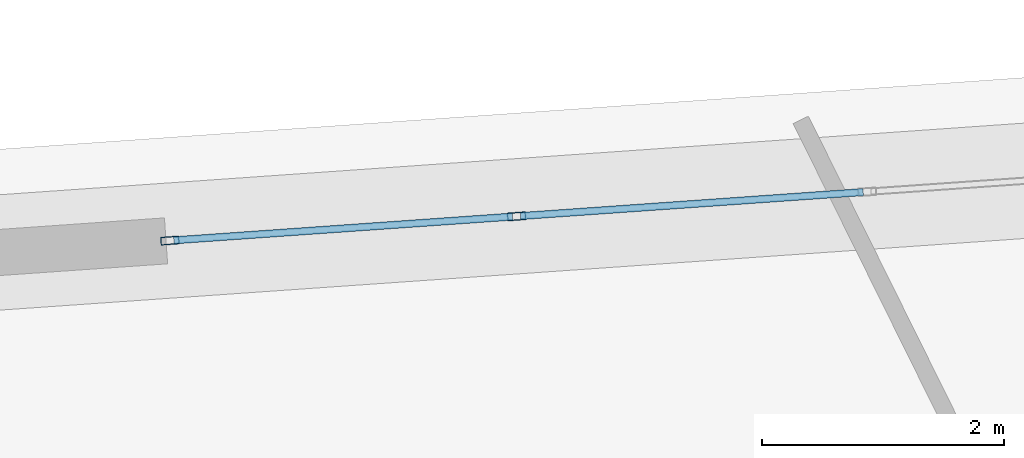
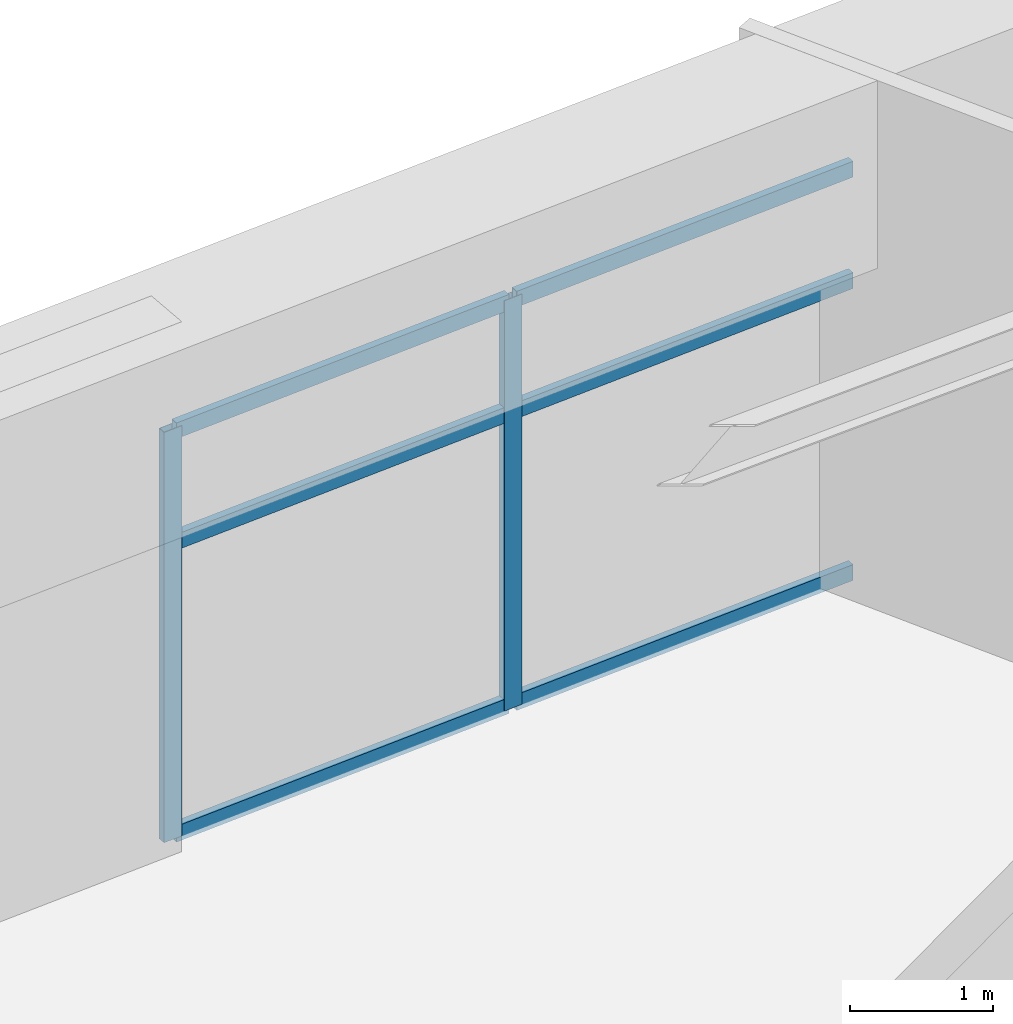
# One storey, part 23 of 40: 8 members, 1 element without a shape of its own.
"""IFC4 building model written with IfcOpenShell, lengths in metres."""

from ifc_helpers import new_model, si_unit, direction, frame, origin, origin_2d, place, context, subcontext, project, spatial, hollow_rectangle, extrude, source, transform, mapped, material, layer, layer_set, material_profile, profile_set, type_object, element, aggregate, save


model = new_model("IFC4")

# Units and contexts
model_context = context("Model", 3, precision=1e-05, world=origin(), true_north=direction((0.0, 1.0)))
body_context = subcontext(model_context, "Body", "Model", "MODEL_VIEW")
ifc_project = project(units=[si_unit("LENGTHUNIT", "METRE"), si_unit("AREAUNIT", "SQUARE_METRE"), si_unit("VOLUMEUNIT", "CUBIC_METRE"), si_unit("PLANEANGLEUNIT", "RADIAN"), si_unit("MASSUNIT", "GRAM", prefix="KILO")], contexts=[model_context])

# Site, building, storey
site_placement = place(None, origin())
site = spatial("IfcSite", under=ifc_project, at=site_placement, CompositionType="ELEMENT")
building_placement = place(site_placement, origin())
building = spatial("IfcBuilding", under=site, at=building_placement, Name="Liaohun Quay Tower", CompositionType="ELEMENT")
storey_placement = place(building_placement, frame((0.0, 0.0, 351.0)))
storey = spatial("IfcBuildingStorey", under=building, at=storey_placement, Name="L91", CompositionType="ELEMENT", Elevation=351.0)

# Curtain wall, members
ifc_material_1 = material(Name="Observation gallery panoramic triple-glazed curtain wall")
ifc_layer = layer(ifc_material_1, 0.219970703125, Name="Observation gallery panoramic triple-glazed curtain wall")
ifc_layer_set = layer_set([ifc_layer], Name="Observation gallery panoramic triple-glazed curtain wall")
curtain_wall_type = type_object("IfcCurtainWallType", Name="CW-OBS-CRN", PredefinedType="NOTDEFINED", material=ifc_layer_set)
curtain_wall_placement = place(storey_placement, origin())
curtain_wall = element("IfcCurtainWall", 1, at=curtain_wall_placement, inside=storey, type_object=curtain_wall_type, Name="L91 Panoramic Belvedere Curtain Wall 04", PredefinedType="NOTDEFINED")
ifc_material_2 = material(Name="Anodised aluminium 6063-T6", Category="aluminium")
ifc_material_profile_1 = material_profile(ifc_material_2, hollow_rectangle(XDim=0.06494140625, YDim=0.14990234375, WallThickness=0.00390625, at=origin_2d()), Name="RHS150x65x4")
ifc_profile_set_1 = profile_set([ifc_material_profile_1], Name="Anodised aluminium 6063-T6")
member_type_1 = type_object("IfcMemberType", Name="MEM-CWM-SKY", PredefinedType="MULLION", material=ifc_profile_set_1)
shared_shape_1 = source(origin(), body_context, "Body", "SweptSolid", [
    extrude(hollow_rectangle(XDim=0.06494140625, YDim=0.14990234375, WallThickness=0.00390625, at=origin_2d()), origin(), (0.0, 0.0, 1.0), 3.5),
])
member_1_placement = place(storey_placement, frame((46.241943359375, 73.896484375, 0.0), z_axis=(0.0, 0.0, 1.0), x_axis=(0.069825696336, -0.997559207331, 0.0)))
member_1 = element("IfcMember", 2, at=member_1_placement, type_object=member_type_1, Name="CW6 mullion 4", PredefinedType="MULLION", context=body_context, shape_type="MappedRepresentation", body=[
    mapped(shared_shape_1, transform((0.0, 0.0, 0.0), x_axis=(1.0, 0.0, 0.0), y_axis=(0.0, 1.0, 0.0), z_axis=(0.0, 0.0, 1.0), scale=1.0)),
])
member_2_placement = place(storey_placement, frame((43.38134765625, 73.6962890625, 0.0), z_axis=(0.0, 0.0, 1.0), x_axis=(0.069825696336, -0.997559207331, 0.0)))
member_2 = element("IfcMember", 3, at=member_2_placement, type_object=member_type_1, Name="CW6 mullion 5", PredefinedType="MULLION", context=body_context, shape_type="MappedRepresentation", body=[
    mapped(shared_shape_1, transform((0.0, 0.0, 0.0), x_axis=(1.0, 0.0, 0.0), y_axis=(0.0, 1.0, 0.0), z_axis=(0.0, 0.0, 1.0), scale=1.0)),
])
ifc_material_profile_2 = material_profile(ifc_material_2, hollow_rectangle(XDim=0.06005859375, YDim=0.135009765625, WallThickness=0.00390625, at=origin_2d()), Name="RHS135x60x4")
ifc_profile_set_2 = profile_set([ifc_material_profile_2], Name="Anodised aluminium 6063-T6")
member_type_2 = type_object("IfcMemberType", Name="MEM-CWT-SKY", PredefinedType="USERDEFINED", material=ifc_profile_set_2)
shared_shape_2 = source(origin(), body_context, "Body", "SweptSolid", [
    extrude(hollow_rectangle(XDim=0.06005859375, YDim=0.135009765625, WallThickness=0.00390625, at=origin_2d()), origin(), (0.0, 0.0, 1.0), 2.802490234375),
])
member_3_placement = place(storey_placement, frame((46.20947265625, 73.894287109375, 0.030029296875), z_axis=(-0.997556357063, -0.069866404538, 0.0), x_axis=(0.069866404538, -0.997556357063, 0.0)))
member_3 = element("IfcMember", 4, at=member_3_placement, type_object=member_type_2, Name="CW6 transom 4.1", ObjectType="TRANSOM", PredefinedType="USERDEFINED", context=body_context, shape_type="MappedRepresentation", body=[
    mapped(shared_shape_2, transform((0.0, 0.0, 0.0), x_axis=(1.0, 0.0, 0.0), y_axis=(0.0, 1.0, 0.0), z_axis=(0.0, 0.0, 1.0), scale=1.0)),
])
member_4_placement = place(storey_placement, frame((46.20947265625, 73.894287109375, 2.52001953125), z_axis=(-0.997556357063, -0.069866404538, 0.0), x_axis=(0.069866404538, -0.997556357063, 0.0)))
member_4 = element("IfcMember", 5, at=member_4_placement, type_object=member_type_2, Name="CW6 transom 4.2", ObjectType="TRANSOM", PredefinedType="USERDEFINED", context=body_context, shape_type="MappedRepresentation", body=[
    mapped(shared_shape_2, transform((0.0, 0.0, 0.0), x_axis=(1.0, 0.0, 0.0), y_axis=(0.0, 1.0, 0.0), z_axis=(0.0, 0.0, 1.0), scale=1.0)),
])
member_5_placement = place(storey_placement, frame((46.20947265625, 73.894287109375, 3.469970703125), z_axis=(-0.997556357063, -0.069866404538, 0.0), x_axis=(0.069866404538, -0.997556357063, 0.0)))
member_5 = element("IfcMember", 6, at=member_5_placement, type_object=member_type_2, Name="CW6 transom 4.3", ObjectType="TRANSOM", PredefinedType="USERDEFINED", context=body_context, shape_type="MappedRepresentation", body=[
    mapped(shared_shape_2, transform((0.0, 0.0, 0.0), x_axis=(1.0, 0.0, 0.0), y_axis=(0.0, 1.0, 0.0), z_axis=(0.0, 0.0, 1.0), scale=1.0)),
])
shared_shape_3 = source(origin(), body_context, "Body", "SweptSolid", [
    extrude(hollow_rectangle(XDim=0.06005859375, YDim=0.135009765625, WallThickness=0.00390625, at=origin_2d()), origin(), (0.0, 0.0, 1.0), 2.8349609375),
])
member_6_placement = place(storey_placement, frame((49.1025390625, 74.0966796875, 0.030029296875), z_axis=(-0.997558247248, -0.069839411129, 0.0), x_axis=(0.069839411129, -0.997558247248, 0.0)))
member_6 = element("IfcMember", 7, at=member_6_placement, type_object=member_type_2, Name="CW6 transom 3.1", ObjectType="TRANSOM", PredefinedType="USERDEFINED", context=body_context, shape_type="MappedRepresentation", body=[
    mapped(shared_shape_3, transform((0.0, 0.0, 0.0), x_axis=(1.0, 0.0, 0.0), y_axis=(0.0, 1.0, 0.0), z_axis=(0.0, 0.0, 1.0), scale=1.0)),
])
member_7_placement = place(storey_placement, frame((49.1025390625, 74.0966796875, 2.52001953125), z_axis=(-0.997558247248, -0.069839411129, 0.0), x_axis=(0.069839411129, -0.997558247248, 0.0)))
member_7 = element("IfcMember", 8, at=member_7_placement, type_object=member_type_2, Name="CW6 transom 3.2", ObjectType="TRANSOM", PredefinedType="USERDEFINED", context=body_context, shape_type="MappedRepresentation", body=[
    mapped(shared_shape_3, transform((0.0, 0.0, 0.0), x_axis=(1.0, 0.0, 0.0), y_axis=(0.0, 1.0, 0.0), z_axis=(0.0, 0.0, 1.0), scale=1.0)),
])
member_8_placement = place(storey_placement, frame((49.1025390625, 74.0966796875, 3.469970703125), z_axis=(-0.997558247248, -0.069839411129, 0.0), x_axis=(0.069839411129, -0.997558247248, 0.0)))
member_8 = element("IfcMember", 9, at=member_8_placement, type_object=member_type_2, Name="CW6 transom 3.3", ObjectType="TRANSOM", PredefinedType="USERDEFINED", context=body_context, shape_type="MappedRepresentation", body=[
    mapped(shared_shape_3, transform((0.0, 0.0, 0.0), x_axis=(1.0, 0.0, 0.0), y_axis=(0.0, 1.0, 0.0), z_axis=(0.0, 0.0, 1.0), scale=1.0)),
])
aggregate(curtain_wall, [member_1, member_2, member_6, member_7, member_8, member_3, member_4, member_5])

save(model, "model.ifc")
